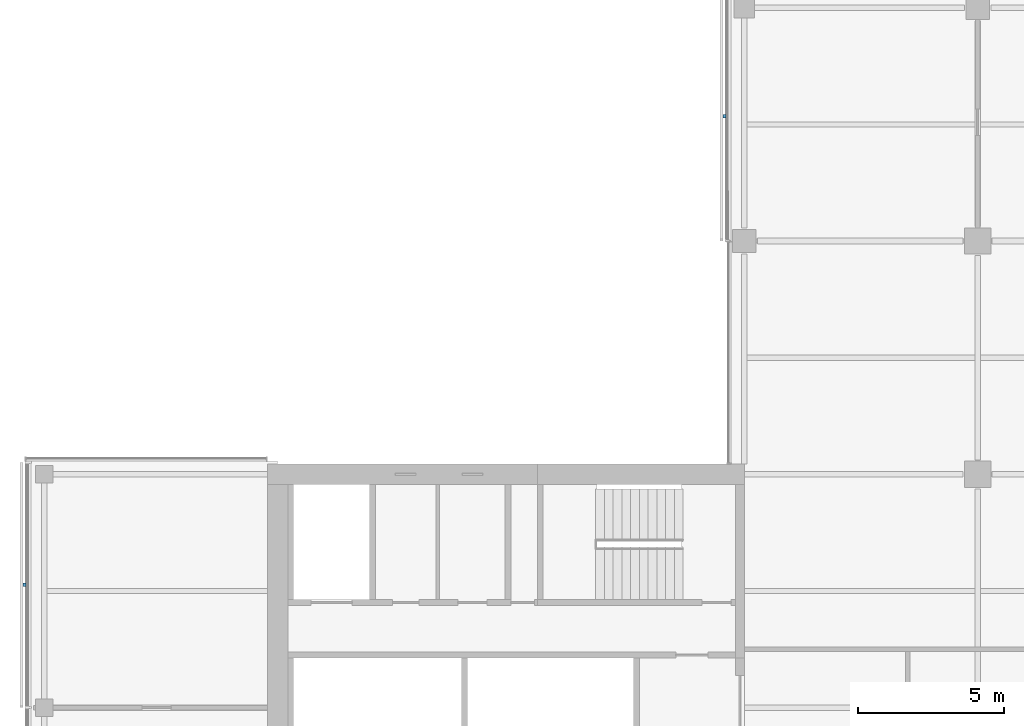
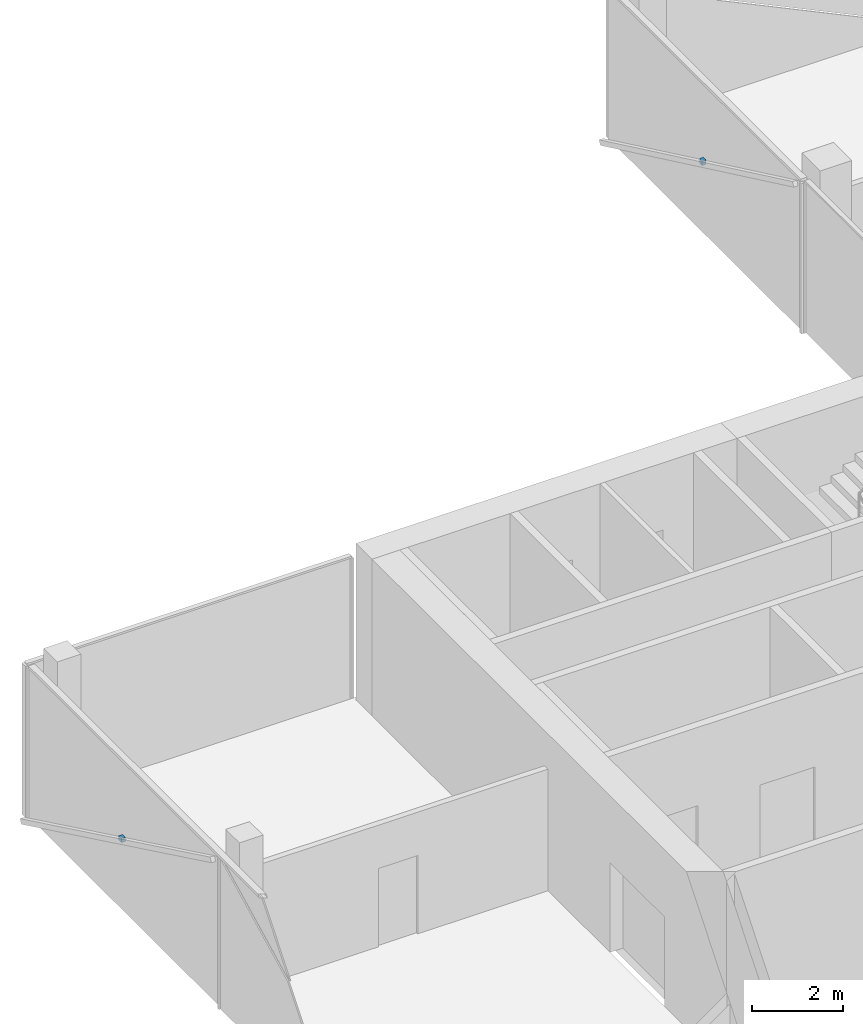
# One storey, part 19 of 22: 2 discrete accessories.
"""IFC4 building model written with IfcOpenShell, lengths in metres."""

from ifc_helpers import new_model, si_unit, direction, frame, origin, origin_2d, place, context, subcontext, project, spatial, rectangle, extrude, material, type_object, element, save


model = new_model("IFC4")

# Units and contexts
model_context = context("Model", 3, precision=1e-05, world=origin(), true_north=direction((0.0, 1.0)))
body_context = subcontext(model_context, "Body", "Model", "MODEL_VIEW")
ifc_project = project(units=[si_unit("LENGTHUNIT", "METRE"), si_unit("AREAUNIT", "SQUARE_METRE"), si_unit("VOLUMEUNIT", "CUBIC_METRE"), si_unit("PLANEANGLEUNIT", "RADIAN"), si_unit("MASSUNIT", "GRAM", prefix="KILO")], contexts=[model_context])

# Site, building, storey
site_placement = place(None, origin())
site = spatial("IfcSite", under=ifc_project, at=site_placement, CompositionType="ELEMENT")
building_placement = place(site_placement, origin())
building = spatial("IfcBuilding", under=site, at=building_placement, Name="Crosswind Convention Tower", CompositionType="ELEMENT")
storey_placement = place(building_placement, frame((0.0, 0.0, 167.300048828125)))
storey = spatial("IfcBuildingStorey", under=building, at=storey_placement, Name="L35", CompositionType="ELEMENT", Elevation=167.300048828125)

# Discrete accessories
ifc_material = material(Name="Stainless steel", Category="steel")
discrete_accessory_type = type_object("IfcDiscreteAccessoryType", Name="BAGUETTE BRACKET BK3", PredefinedType="BRACKET", material=ifc_material)
for number, where, z_axis, x_axis, name in (
    (1, (112.323974609375, 124.280029296875, 1.65478515625), (0.0, 0.0, 1.0), (0.0, -1.0, 0.0), "BK3 baguette bracket"),
    (2, (88.323974609375, 108.20751953125, 1.65478515625), (0.0, 0.0, 1.0), (0.0, -1.0, 0.0), "BK3 baguette bracket"),
):
    element("IfcDiscreteAccessory", number, at=place(storey_placement, frame(where, z_axis=z_axis, x_axis=x_axis)), inside=storey, type_object=discrete_accessory_type, Name=name, PredefinedType="BRACKET", context=body_context, shape_type="SweptSolid", body=[
        extrude(rectangle(XDim=0.1201171875, YDim=0.10009765625, at=origin_2d()), origin(), (0.0, 0.0, 1.0), 0.1201171875),
    ])

save(model, "model.ifc")
